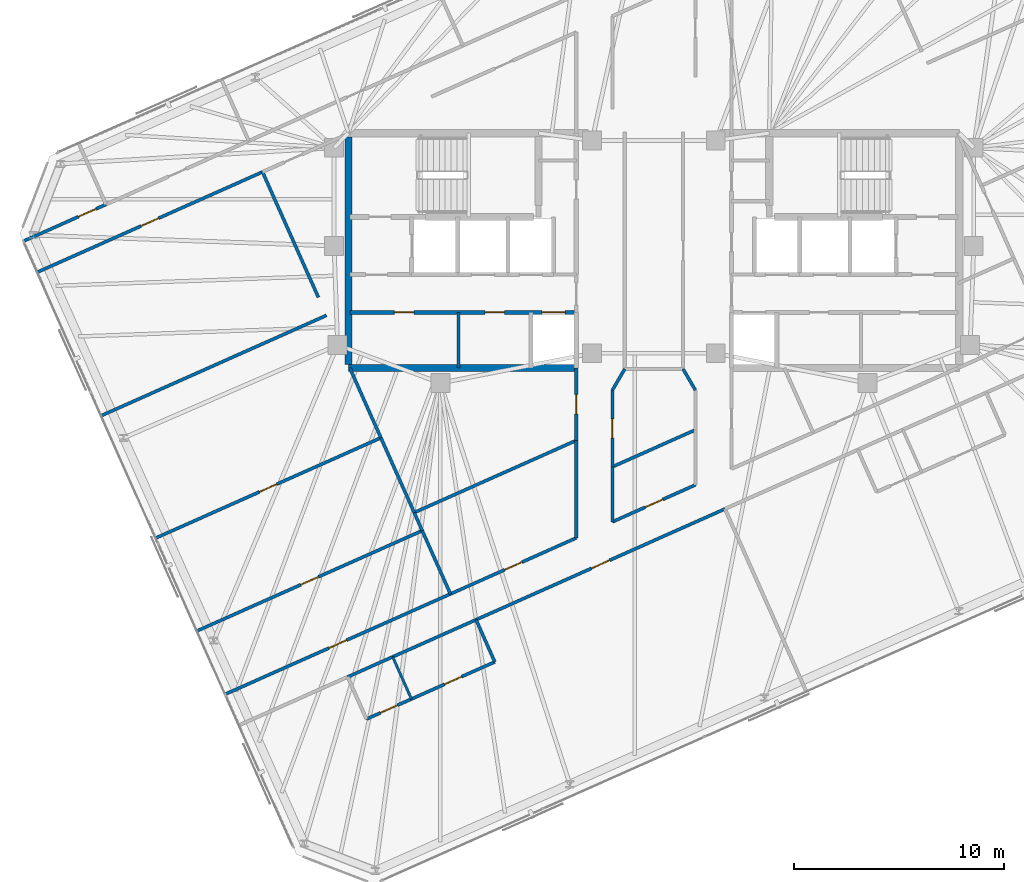
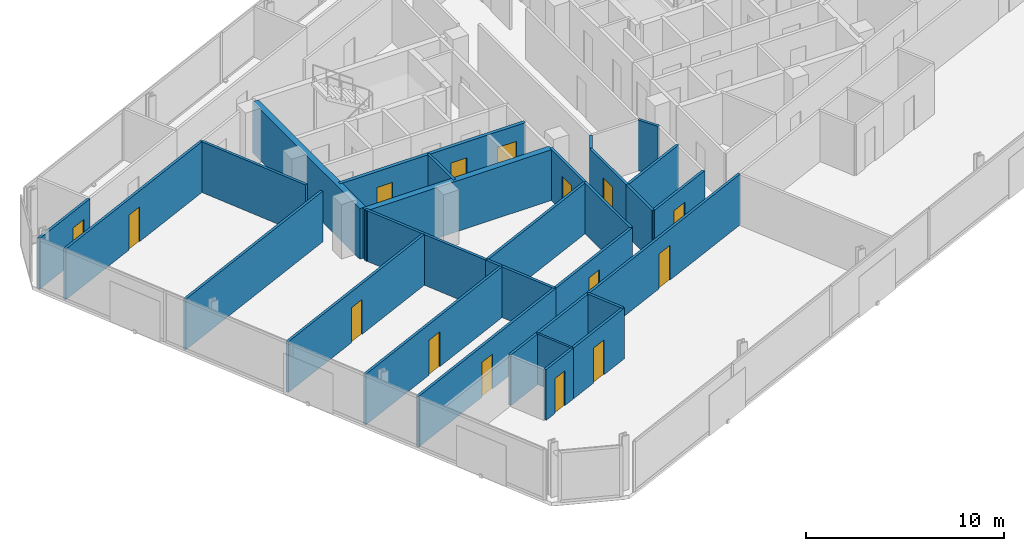
# One storey, part 13 of 18: 32 walls, 15 doors, 15 openings.
"""IFC4 building model written with IfcOpenShell, lengths in metres."""

import ifcopenshell
import ifcopenshell.guid

model = None  # the IFC model being written
_history = None  # IfcOwnerHistory: only IFC2X3 demands one
_inside = {}  # id of a spatial element -> (the spatial element, [elements in it])
_under = {}  # id of a project, library or spatial element -> (it, [spatial elements below it])
_declared = {}  # id of a project -> (the project, [libraries it declares])
_typed = {}  # id of a type object -> (the type object, [elements of that type])
_made_of = {}  # id of a material, layer set ... -> (it, [elements and type objects made of it])


def new_model(schema):
    """Start an empty IFC model of exactly this schema.

    Asked for "IFC4X3", IfcOpenShell would pick the latest addendum, in which some entities
    have other attributes; the version numbers below select the first issue.
    IFC2X3 requires an IfcOwnerHistory on every rooted entity: one is made here for all.
    """
    global model, _history
    if schema == "IFC4X3":
        model = ifcopenshell.file(schema_version=(4, 3, 0, 0))
    else:
        model = ifcopenshell.file(schema=schema)
    _inside.clear()
    _under.clear()
    _declared.clear()
    _typed.clear()
    _made_of.clear()
    _history = None
    if model.schema == "IFC2X3":
        org = make("IfcOrganization", Name="unknown")
        user = make(
            "IfcPersonAndOrganization",
            ThePerson=make("IfcPerson", FamilyName="unknown"),
            TheOrganization=org,
        )
        app = make(
            "IfcApplication",
            ApplicationDeveloper=org,
            Version="unknown",
            ApplicationFullName="unknown",
            ApplicationIdentifier="unknown",
        )
        _history = make(
            "IfcOwnerHistory",
            OwningUser=user,
            OwningApplication=app,
            ChangeAction="ADDED",
            CreationDate=0,
        )
    return model


def make(cls, **values):
    """One entity of the class cls with the attributes given. An attribute that is None is left unset."""
    return model.create_entity(
        cls, **{name: value for name, value in values.items() if value is not None}
    )


def rooted(cls, **values):
    """An entity with a GlobalId (a new one), such as an element, a storey or a relation."""
    return make(cls, GlobalId=ifcopenshell.guid.new(), OwnerHistory=_history, **values)


def si_unit(unit_type, name, prefix=None):
    """IfcSIUnit, for example si_unit("LENGTHUNIT", "METRE", prefix="MILLI")."""
    return make("IfcSIUnit", UnitType=unit_type, Prefix=prefix, Name=name)


def assignment(units):
    """IfcUnitAssignment: the units of a project."""
    return None if units is None else make("IfcUnitAssignment", Units=units)


def point(xyz):
    """IfcCartesianPoint."""
    return None if xyz is None else make("IfcCartesianPoint", Coordinates=xyz)


def direction(xyz):
    """IfcDirection."""
    return None if xyz is None else make("IfcDirection", DirectionRatios=xyz)


def frame(location, z_axis=None, x_axis=None):
    """IfcAxis2Placement3D, a coordinate frame: its origin and axes. An axis left out is left unset."""
    return make(
        "IfcAxis2Placement3D",
        Location=point(location),
        Axis=direction(z_axis),
        RefDirection=direction(x_axis),
    )


def frame_2d(location, x_axis=None):
    """IfcAxis2Placement2D, a coordinate frame in the plane: its origin and x axis."""
    return make(
        "IfcAxis2Placement2D", Location=point(location), RefDirection=direction(x_axis)
    )


def origin():
    """The frame at (0, 0, 0) with its axes left unset."""
    return frame((0.0, 0.0, 0.0))


def place(relative_to, where):
    """IfcLocalPlacement: puts the frame where relative to a parent placement (None: the world)."""
    return make(
        "IfcLocalPlacement", PlacementRelTo=relative_to, RelativePlacement=where
    )


def context(
    kind, dimensions, precision=None, world=None, true_north=None, identifier=None
):
    """IfcGeometricRepresentationContext, for example the 3D "Model" context."""
    return make(
        "IfcGeometricRepresentationContext",
        ContextIdentifier=identifier,
        ContextType=kind,
        CoordinateSpaceDimension=dimensions,
        Precision=precision,
        WorldCoordinateSystem=world,
        TrueNorth=true_north,
    )


def subcontext(parent, identifier, kind, view, scale=None):
    """IfcGeometricRepresentationSubContext, for example "Body" below "Model"."""
    return make(
        "IfcGeometricRepresentationSubContext",
        ContextIdentifier=identifier,
        ContextType=kind,
        ParentContext=parent,
        TargetScale=scale,
        TargetView=view,
    )


def project(units=None, contexts=None):
    """IfcProject with its units and contexts."""
    return rooted(
        "IfcProject",
        Name="project",
        RepresentationContexts=contexts,
        UnitsInContext=assignment(units),
    )


def spatial(cls, under=None, at=None, **own):
    """A site, building, storey or space (cls), placed at a placement, below another one or the project."""
    s = rooted(cls, ObjectPlacement=at, **own)
    if under is not None:
        _under.setdefault(under.id(), (under, []))[1].append(s)
    return s


def profile(cls, at=None, kind="AREA", **sizes):
    """A parametric profile (cls). Its sizes go by their IFC names, for example OverallWidth=200.0."""
    return make(cls, ProfileType=kind, Position=at, **sizes)


def rectangle(**sizes):
    """IfcRectangleProfileDef."""
    return profile("IfcRectangleProfileDef", **sizes)


def extrude(swept, where, along, depth):
    """IfcExtrudedAreaSolid: the profile swept, set in the frame where, extruded along a direction by depth."""
    return make(
        "IfcExtrudedAreaSolid",
        SweptArea=swept,
        Position=where,
        ExtrudedDirection=direction(along),
        Depth=depth,
    )


def shape(context_of_items, identifier, shape_type, items):
    """IfcShapeRepresentation: the items that make up one representation, for example the "Body"."""
    return make(
        "IfcShapeRepresentation",
        ContextOfItems=context_of_items,
        RepresentationIdentifier=identifier,
        RepresentationType=shape_type,
        Items=items,
    )


def material(Name=None, Category=None):
    """IfcMaterial."""
    return make("IfcMaterial", Name=Name, Category=Category)


def layer(
    of_material, thickness, ventilated=None, Name=None, Category=None, Priority=None
):
    """IfcMaterialLayer: one layer of a wall or slab, of a material (None: an air gap)."""
    return make(
        "IfcMaterialLayer",
        Material=of_material,
        LayerThickness=thickness,
        IsVentilated=ventilated,
        Name=Name,
        Category=Category,
        Priority=Priority,
    )


def layer_set(layers, Name=None):
    """IfcMaterialLayerSet."""
    return make("IfcMaterialLayerSet", MaterialLayers=layers, LayerSetName=Name)


def made_of(thing, what):
    """Note that an element or type object is made of a material, layer set ...; save() writes the relation."""
    if what is not None:
        _made_of.setdefault(what.id(), (what, []))[1].append(thing)
    return thing


def type_object(cls, material=None, **own):
    """A type object (cls), such as IfcWallType, which elements share."""
    return made_of(rooted(cls, **own), material)


def element(
    cls,
    number,
    at=None,
    inside=None,
    cuts=None,
    type_object=None,
    material=None,
    context=None,
    identifier="Body",
    shape_type=None,
    held_by="IfcProductDefinitionShape",
    body=None,
    shapes=None,
    **own,
):
    """One element of the class cls, such as IfcWall. Its Tag is "e" and its number.

    at: its placement. inside: the storey or other place that contains it. cuts: it is an
    opening in that element (IfcRelVoidsElement). A single representation is given by context,
    identifier, shape_type and body (its items); several are given by shapes. held_by: the class
    of the entity that holds the representations. save() writes the other relations.
    """
    e = rooted(cls, Tag="e%d" % number, ObjectPlacement=at, **own)
    if body is not None:
        shapes = [shape(context, identifier, shape_type, body)]
    if shapes is not None:
        e.Representation = make(held_by, Representations=shapes)
    if inside is not None:
        _inside.setdefault(inside.id(), (inside, []))[1].append(e)
    if cuts is not None:
        rooted(
            "IfcRelVoidsElement", RelatingBuildingElement=cuts, RelatedOpeningElement=e
        )
    if type_object is not None:
        _typed.setdefault(type_object.id(), (type_object, []))[1].append(e)
    return made_of(e, material)


def fill(opening, filler):
    """IfcRelFillsElement: the door or window that sits in an opening."""
    return rooted(
        "IfcRelFillsElement",
        RelatingOpeningElement=opening,
        RelatedBuildingElement=filler,
    )


def aggregate(whole, parts):
    """IfcRelAggregates: a whole, such as a stair, and the parts it consists of."""
    return rooted("IfcRelAggregates", RelatingObject=whole, RelatedObjects=parts)


def save(model, path):
    """Write the relations noted so far, then the file.

    IfcRelAggregates (storeys below a building ...), IfcRelContainedInSpatialStructure (elements
    in a storey), IfcRelDefinesByType, IfcRelAssociatesMaterial and IfcRelDeclares: one each for
    every whole, place, type object, material and project.
    """
    for whole, parts in _under.values():
        aggregate(whole, parts)
    for where, things in _inside.values():
        rooted(
            "IfcRelContainedInSpatialStructure",
            RelatedElements=things,
            RelatingStructure=where,
        )
    for kind, things in _typed.values():
        rooted("IfcRelDefinesByType", RelatedObjects=things, RelatingType=kind)
    for what, things in _made_of.values():
        rooted("IfcRelAssociatesMaterial", RelatedObjects=things, RelatingMaterial=what)
    for by, libraries in _declared.values():
        rooted("IfcRelDeclares", RelatingContext=by, RelatedDefinitions=libraries)
    model.write(path)


model = new_model("IFC4")

# Units and contexts
model_context = context("Model", 3, precision=1e-05, world=origin(), true_north=direction((0.0, 1.0)))
body_context = subcontext(model_context, "Body", "Model", "MODEL_VIEW")
ifc_project = project(units=[si_unit("LENGTHUNIT", "METRE"), si_unit("AREAUNIT", "SQUARE_METRE"), si_unit("VOLUMEUNIT", "CUBIC_METRE"), si_unit("PLANEANGLEUNIT", "RADIAN"), si_unit("MASSUNIT", "GRAM", prefix="KILO")], contexts=[model_context])

# Site, building, storey
site_placement = place(None, origin())
site = spatial("IfcSite", under=ifc_project, at=site_placement, CompositionType="ELEMENT")
building_placement = place(site_placement, origin())
building = spatial("IfcBuilding", under=site, at=building_placement, Name="Menara Jurai Vektor", CompositionType="ELEMENT")
storey_placement = place(building_placement, frame((0.0, 0.0, 258.85009765625)))
storey = spatial("IfcBuildingStorey", under=building, at=storey_placement, Name="L69", CompositionType="ELEMENT", Elevation=258.85009765625)

# Wall
ifc_material_1 = material(Name="Gypsum Fireboard Partition", Category="gypsum")
ifc_layer_1 = layer(ifc_material_1, 0.14990234375)
ifc_layer_set_1 = layer_set([ifc_layer_1], Name="Gypsum Fireboard Partition")
wall_type_1 = type_object("IfcWallType", Name="INT-WALL-CORR-150", PredefinedType="PARTITIONING", material=ifc_layer_set_1)
wall_1_placement = place(storey_placement, frame((-9.320068359375, -5.60009765625, 0.0), z_axis=(0.0, 0.0, 1.0), x_axis=(0.0, 1.0, 0.0)))
element("IfcWall", 1, at=wall_1_placement, inside=storey, type_object=wall_type_1, Name="Interior Wall IW-150 L69", PredefinedType="PARTITIONING", context=body_context, shape_type="SweptSolid", body=[
    extrude(rectangle(XDim=2.650146484375, YDim=0.14990234375, at=frame_2d((1.3251953125, 0.0))), origin(), (0.0, 0.0, 1.0), 3.125),
])

# Wall, opening, door
wall_2_placement = place(storey_placement, frame((-8.481201171875, -17.605224609375, 0.0), z_axis=(0.0, 0.0, 1.0), x_axis=(0.913546352883, 0.406734632328, 0.0)))
wall_2 = element("IfcWall", 2, at=wall_2_placement, inside=storey, type_object=wall_type_1, Name="Interior Wall IW-150 L69", PredefinedType="PARTITIONING", context=body_context, shape_type="SweptSolid", body=[
    extrude(rectangle(XDim=12.992919921875, YDim=0.14990234375, at=frame_2d((6.49658203125, 0.0))), origin(), (0.0, 0.0, 1.0), 3.125),
])
opening_1_placement = place(wall_2_placement, frame((6.021484375, 0.0, 0.0)))
opening_1 = element("IfcOpeningElement", 3, at=opening_1_placement, cuts=wall_2, Name="Opening D69-12", PredefinedType="OPENING", context=body_context, shape_type="SweptSolid", body=[
    extrude(rectangle(XDim=0.949951171875, YDim=2.14990234375, at=frame_2d((0.47509765625, 1.074951171875))), frame((0.0, 0.0849609375, 0.0), z_axis=(0.0, -1.0, 0.0), x_axis=(1.0, 0.0, 0.0)), (0.0, 0.0, 1.0), 0.169921875),
])
ifc_material_2 = material(Name="Solid Core Timber Fire Door", Category="wood")
door_type_1 = type_object("IfcDoorType", Name="DR-ENTRY-950", OperationType="NOTDEFINED", PredefinedType="DOOR", material=ifc_material_2)
door_1_placement = place(opening_1_placement, origin())
door_1 = element("IfcDoor", 4, at=door_1_placement, inside=storey, type_object=door_type_1, Name="Interior Door D69-12", OperationType="SINGLE_SWING_LEFT", OverallHeight=2.14990234375, OverallWidth=0.949951171875, PredefinedType="DOOR", context=body_context, shape_type="SweptSolid", body=[
    extrude(rectangle(XDim=0.949951171875, YDim=2.14990234375, at=frame_2d((0.47509765625, 1.074951171875))), frame((0.0, 0.02490234375, 0.0), z_axis=(0.0, -1.0, 0.0), x_axis=(1.0, 0.0, 0.0)), (0.0, 0.0, 1.0), 0.050048828125),
])
fill(opening_1, door_1)

# Walls
wall_3_placement = place(storey_placement, frame((-14.601806640625, -20.33056640625, 0.0), z_axis=(0.0, 0.0, 1.0), x_axis=(0.913502828817, 0.406832375486, 0.0)))
element("IfcWall", 5, at=wall_3_placement, inside=storey, type_object=wall_type_1, Name="Interior Wall IW-150 L69", PredefinedType="PARTITIONING", context=body_context, shape_type="SweptSolid", body=[
    extrude(rectangle(XDim=2.35009765625, YDim=0.14990234375, at=frame_2d((1.175048828125, 0.0))), origin(), (0.0, 0.0, 1.0), 3.125),
])
wall_4_placement = place(storey_placement, frame((-12.455078125, -19.37451171875, 0.0), z_axis=(0.0, 0.0, 1.0), x_axis=(0.913545193015, 0.406737237438, 0.0)))
element("IfcWall", 6, at=wall_4_placement, inside=storey, type_object=wall_type_1, Name="Interior Wall IW-150 L69", PredefinedType="PARTITIONING", context=body_context, shape_type="SweptSolid", body=[
    extrude(rectangle(XDim=4.349853515625, YDim=0.14990234375, at=frame_2d((2.1748046875, 0.0))), origin(), (0.0, 0.0, 1.0), 3.125),
])

# Wall, opening, door
wall_5_placement = place(storey_placement, frame((-20.4453125, -21.15869140625, 0.0), z_axis=(0.0, 0.0, 1.0), x_axis=(0.913547681516, 0.406731648137, 0.0)))
wall_5 = element("IfcWall", 7, at=wall_5_placement, inside=storey, type_object=wall_type_1, Name="Interior Wall IW-150 L69", PredefinedType="PARTITIONING", context=body_context, shape_type="SweptSolid", body=[
    extrude(rectangle(XDim=11.760009765625, YDim=0.14990234375, at=frame_2d((5.8798828125, 0.0))), origin(), (0.0, 0.0, 1.0), 3.125),
])
opening_2_placement = place(wall_5_placement, frame((5.419921875, 0.0, 0.0)))
opening_2 = element("IfcOpeningElement", 8, at=opening_2_placement, cuts=wall_5, Name="Opening D69-18", PredefinedType="OPENING", context=body_context, shape_type="SweptSolid", body=[
    extrude(rectangle(XDim=0.919921875, YDim=2.14990234375, at=frame_2d((0.4599609375, 1.074951171875))), frame((0.0, 0.0849609375, 0.0), z_axis=(0.0, -1.0, 0.0), x_axis=(1.0, 0.0, 0.0)), (0.0, 0.0, 1.0), 0.169921875),
])
door_2_placement = place(opening_2_placement, origin())
door_2 = element("IfcDoor", 9, at=door_2_placement, inside=storey, type_object=door_type_1, Name="Interior Door D69-18", OperationType="SINGLE_SWING_LEFT", OverallHeight=2.14990234375, OverallWidth=0.919921875, PredefinedType="DOOR", context=body_context, shape_type="SweptSolid", body=[
    extrude(rectangle(XDim=0.919921875, YDim=2.14990234375, at=frame_2d((0.4599609375, 1.074951171875))), frame((0.0, 0.02490234375, 0.0), z_axis=(0.0, -1.0, 0.0), x_axis=(1.0, 0.0, 0.0)), (0.0, 0.0, 1.0), 0.050048828125),
])
fill(opening_2, door_2)

wall_6_placement = place(storey_placement, frame((-29.404296875, -1.0361328125, 0.0), z_axis=(0.0, 0.0, 1.0), x_axis=(0.913544247064, 0.406739362069, 0.0)))
wall_6 = element("IfcWall", 10, at=wall_6_placement, inside=storey, type_object=wall_type_1, Name="Interior Wall IW-150 L69", PredefinedType="PARTITIONING", context=body_context, shape_type="SweptSolid", body=[
    extrude(rectangle(XDim=11.759765625, YDim=0.14990234375, at=frame_2d((5.8798828125, 0.0))), origin(), (0.0, 0.0, 1.0), 3.125),
])
opening_3_placement = place(wall_6_placement, frame((5.419921875, 0.0, 0.0)))
opening_3 = element("IfcOpeningElement", 11, at=opening_3_placement, cuts=wall_6, Name="Opening D69-21", PredefinedType="OPENING", context=body_context, shape_type="SweptSolid", body=[
    extrude(rectangle(XDim=0.919921875, YDim=2.14990234375, at=frame_2d((0.4599609375, 1.074951171875))), frame((0.0, 0.0849609375, 0.0), z_axis=(0.0, -1.0, 0.0), x_axis=(1.0, 0.0, 0.0)), (0.0, 0.0, 1.0), 0.169921875),
])
door_3_placement = place(opening_3_placement, origin())
door_3 = element("IfcDoor", 12, at=door_3_placement, inside=storey, type_object=door_type_1, Name="Interior Door D69-21", OperationType="SINGLE_SWING_RIGHT", OverallHeight=2.14990234375, OverallWidth=0.919921875, PredefinedType="DOOR", context=body_context, shape_type="SweptSolid", body=[
    extrude(rectangle(XDim=0.919921875, YDim=2.14990234375, at=frame_2d((0.4599609375, 1.074951171875))), frame((0.0, 0.02490234375, 0.0), z_axis=(0.0, -1.0, 0.0), x_axis=(1.0, 0.0, 0.0)), (0.0, 0.0, 1.0), 0.050048828125),
])
fill(opening_3, door_3)

wall_7_placement = place(storey_placement, frame((-30.063232421875, 0.44384765625, 0.0), z_axis=(0.0, 0.0, 1.0), x_axis=(0.91352868173, 0.406774320302, 0.0)))
wall_7 = element("IfcWall", 13, at=wall_7_placement, inside=storey, type_object=wall_type_1, Name="Interior Wall IW-150 L69", PredefinedType="PARTITIONING", context=body_context, shape_type="SweptSolid", body=[
    extrude(rectangle(XDim=4.31005859375, YDim=0.14990234375, at=frame_2d((2.155029296875, 0.0))), origin(), (0.0, 0.0, 1.0), 3.125),
])
opening_4_placement = place(wall_7_placement, frame((2.866455078125, 0.0, 0.0)))
opening_4 = element("IfcOpeningElement", 14, at=opening_4_placement, cuts=wall_7, Name="Opening D69-22", PredefinedType="OPENING", context=body_context, shape_type="SweptSolid", body=[
    extrude(rectangle(XDim=0.919921875, YDim=2.14990234375, at=frame_2d((0.4599609375, 1.074951171875))), frame((0.0, 0.0849609375, 0.0), z_axis=(0.0, -1.0, 0.0), x_axis=(1.0, 0.0, 0.0)), (0.0, 0.0, 1.0), 0.169921875),
])
door_4_placement = place(opening_4_placement, origin())
door_4 = element("IfcDoor", 15, at=door_4_placement, inside=storey, type_object=door_type_1, Name="Interior Door D69-22", OperationType="SINGLE_SWING_LEFT", OverallHeight=2.14990234375, OverallWidth=0.919921875, PredefinedType="DOOR", context=body_context, shape_type="SweptSolid", body=[
    extrude(rectangle(XDim=0.919921875, YDim=2.14990234375, at=frame_2d((0.4599609375, 1.074951171875))), frame((0.0, 0.02490234375, 0.0), z_axis=(0.0, -1.0, 0.0), x_axis=(1.0, 0.0, 0.0)), (0.0, 0.0, 1.0), 0.050048828125),
])
fill(opening_4, door_4)

# Wall
wall_8_placement = place(storey_placement, frame((-1.979736328125, -12.9375, 0.0), z_axis=(0.0, 0.0, 1.0), x_axis=(-9.3049223e-05, 0.999999995671, 0.0)))
element("IfcWall", 16, at=wall_8_placement, inside=storey, type_object=wall_type_1, Name="Interior Wall IW-150 L69", PredefinedType="PARTITIONING", context=body_context, shape_type="SweptSolid", body=[
    extrude(rectangle(XDim=2.623779296875, YDim=0.14990234375, at=frame_2d((1.31201171875, 0.0))), origin(), (0.0, 0.0, 1.0), 3.125),
])

# Wall, opening, door
wall_9_placement = place(storey_placement, frame((-1.979736328125, -12.9375, 0.0), z_axis=(0.0, 0.0, 1.0), x_axis=(0.913530252303, 0.406770793111, 0.0)))
wall_9 = element("IfcWall", 17, at=wall_9_placement, inside=storey, type_object=wall_type_1, Name="Interior Wall IW-150 L69", PredefinedType="PARTITIONING", context=body_context, shape_type="SweptSolid", body=[
    extrude(rectangle(XDim=4.333984375, YDim=0.14990234375, at=frame_2d((2.1669921875, 0.0))), origin(), (0.0, 0.0, 1.0), 3.125),
])
opening_5_placement = place(wall_9_placement, frame((1.70703125, 0.0, 0.0)))
opening_5 = element("IfcOpeningElement", 18, at=opening_5_placement, cuts=wall_9, Name="Opening D69-26", PredefinedType="OPENING", context=body_context, shape_type="SweptSolid", body=[
    extrude(rectangle(XDim=0.919921875, YDim=2.14990234375, at=frame_2d((0.4599609375, 1.074951171875))), frame((0.0, 0.0849609375, 0.0), z_axis=(0.0, -1.0, 0.0), x_axis=(1.0, 0.0, 0.0)), (0.0, 0.0, 1.0), 0.169921875),
])
door_5_placement = place(opening_5_placement, origin())
door_5 = element("IfcDoor", 19, at=door_5_placement, inside=storey, type_object=door_type_1, Name="Interior Door D69-26", OperationType="SINGLE_SWING_LEFT", OverallHeight=2.14990234375, OverallWidth=0.919921875, PredefinedType="DOOR", context=body_context, shape_type="SweptSolid", body=[
    extrude(rectangle(XDim=0.919921875, YDim=2.14990234375, at=frame_2d((0.4599609375, 1.074951171875))), frame((0.0, 0.02490234375, 0.0), z_axis=(0.0, -1.0, 0.0), x_axis=(1.0, 0.0, 0.0)), (0.0, 0.0, 1.0), 0.050048828125),
])
fill(opening_5, door_5)

wall_10_placement = place(storey_placement, frame((-1.97998046875, -10.313720703125, 0.0), z_axis=(0.0, 0.0, 1.0), x_axis=(0.0, 1.0, 0.0)))
wall_10 = element("IfcWall", 20, at=wall_10_placement, inside=storey, type_object=wall_type_1, Name="Interior Wall IW-150 L69", PredefinedType="PARTITIONING", context=body_context, shape_type="SweptSolid", body=[
    extrude(rectangle(XDim=3.656005859375, YDim=0.14990234375, at=frame_2d((1.828125, 0.0))), origin(), (0.0, 0.0, 1.0), 3.125),
])
opening_6_placement = place(wall_10_placement, frame((1.367919921875, 0.0, 0.0)))
opening_6 = element("IfcOpeningElement", 21, at=opening_6_placement, cuts=wall_10, Name="Opening D69-27", PredefinedType="OPENING", context=body_context, shape_type="SweptSolid", body=[
    extrude(rectangle(XDim=0.919921875, YDim=2.14990234375, at=frame_2d((0.4599609375, 1.074951171875))), frame((0.0, 0.0849609375, 0.0), z_axis=(0.0, -1.0, 0.0), x_axis=(1.0, 0.0, 0.0)), (0.0, 0.0, 1.0), 0.169921875),
])
door_6_placement = place(opening_6_placement, origin())
door_6 = element("IfcDoor", 22, at=door_6_placement, inside=storey, type_object=door_type_1, Name="Interior Door D69-27", OperationType="SINGLE_SWING_RIGHT", OverallHeight=2.14990234375, OverallWidth=0.919921875, PredefinedType="DOOR", context=body_context, shape_type="SweptSolid", body=[
    extrude(rectangle(XDim=0.919921875, YDim=2.14990234375, at=frame_2d((0.4599609375, 1.074951171875))), frame((0.0, 0.02490234375, 0.0), z_axis=(0.0, -1.0, 0.0), x_axis=(1.0, 0.0, 0.0)), (0.0, 0.0, 1.0), 0.050048828125),
])
fill(opening_6, door_6)

# Walls
wall_11_placement = place(storey_placement, frame((-1.97998046875, -6.65771484375, 0.0), z_axis=(0.0, 0.0, 1.0), x_axis=(0.504651025514, 0.863323428645, 0.0)))
element("IfcWall", 23, at=wall_11_placement, inside=storey, type_object=wall_type_1, Name="Interior Wall IW-150 L69", PredefinedType="PARTITIONING", context=body_context, shape_type="SweptSolid", body=[
    extrude(rectangle(XDim=1.16748046875, YDim=0.14990234375, at=frame_2d((0.583740234375, 0.0))), origin(), (0.0, 0.0, 1.0), 3.125),
])
wall_12_placement = place(storey_placement, frame((1.390869140625, -5.650390625, 0.0), z_axis=(0.0, 0.0, 1.0), x_axis=(0.504339173621, -0.863505644424, 0.0)))
element("IfcWall", 24, at=wall_12_placement, inside=storey, type_object=wall_type_1, Name="Interior Wall IW-150 L69", PredefinedType="PARTITIONING", context=body_context, shape_type="SweptSolid", body=[
    extrude(rectangle(XDim=1.167236328125, YDim=0.14990234375, at=frame_2d((0.58349609375, 0.0))), origin(), (0.0, 0.0, 1.0), 3.125),
])

# Wall, opening, door
wall_13_placement = place(storey_placement, frame((-9.701904296875, -16.37548828125, 0.0), z_axis=(0.0, 0.0, 1.0), x_axis=(0.913552389019, 0.406721074594, 0.0)))
wall_13 = element("IfcWall", 25, at=wall_13_placement, inside=storey, type_object=wall_type_1, Name="Interior Wall IW-150 L69", PredefinedType="PARTITIONING", context=body_context, shape_type="SweptSolid", body=[
    extrude(rectangle(XDim=6.56982421875, YDim=0.14990234375, at=frame_2d((3.284912109375, 0.0))), origin(), (0.0, 0.0, 1.0), 3.125),
])
opening_7_placement = place(wall_13_placement, frame((2.824951171875, 0.0, 0.0)))
opening_7 = element("IfcOpeningElement", 26, at=opening_7_placement, cuts=wall_13, Name="Opening D69-30", PredefinedType="OPENING", context=body_context, shape_type="SweptSolid", body=[
    extrude(rectangle(XDim=0.919921875, YDim=2.14990234375, at=frame_2d((0.4599609375, 1.074951171875))), frame((0.0, 0.0849609375, 0.0), z_axis=(0.0, -1.0, 0.0), x_axis=(1.0, 0.0, 0.0)), (0.0, 0.0, 1.0), 0.169921875),
])
door_7_placement = place(opening_7_placement, origin())
door_7 = element("IfcDoor", 27, at=door_7_placement, inside=storey, type_object=door_type_1, Name="Interior Door D69-30", OperationType="SINGLE_SWING_LEFT", OverallHeight=2.14990234375, OverallWidth=0.919921875, PredefinedType="DOOR", context=body_context, shape_type="SweptSolid", body=[
    extrude(rectangle(XDim=0.919921875, YDim=2.14990234375, at=frame_2d((0.4599609375, 1.074951171875))), frame((0.0, 0.02490234375, 0.0), z_axis=(0.0, -1.0, 0.0), x_axis=(1.0, 0.0, 0.0)), (0.0, 0.0, 1.0), 0.050048828125),
])
fill(opening_7, door_7)

# Wall
wall_14_placement = place(storey_placement, frame((-3.699951171875, -13.703369140625, 0.0), z_axis=(0.0, 0.0, 1.0), x_axis=(5.2512734e-05, 0.999999998621, 0.0)))
element("IfcWall", 28, at=wall_14_placement, inside=storey, type_object=wall_type_1, Name="Interior Wall IW-150 L69", PredefinedType="PARTITIONING", context=body_context, shape_type="SweptSolid", body=[
    extrude(rectangle(XDim=4.649169921875, YDim=0.14990234375, at=frame_2d((2.32470703125, 0.0))), origin(), (0.0, 0.0, 1.0), 3.125),
])

# Wall, opening, door
wall_15_placement = place(storey_placement, frame((-3.69970703125, -9.05419921875, 0.0), z_axis=(0.0, 0.0, 1.0), x_axis=(-7.0671378e-05, 0.999999997503, 0.0)))
wall_15 = element("IfcWall", 29, at=wall_15_placement, inside=storey, type_object=wall_type_1, Name="Interior Wall IW-150 L69", PredefinedType="PARTITIONING", context=body_context, shape_type="SweptSolid", body=[
    extrude(rectangle(XDim=3.45458984375, YDim=0.14990234375, at=frame_2d((1.727294921875, 0.0))), origin(), (0.0, 0.0, 1.0), 3.125),
])
opening_8_placement = place(wall_15_placement, frame((1.267333984375, 0.0, 0.0)))
opening_8 = element("IfcOpeningElement", 30, at=opening_8_placement, cuts=wall_15, Name="Opening D69-31", PredefinedType="OPENING", context=body_context, shape_type="SweptSolid", body=[
    extrude(rectangle(XDim=0.919921875, YDim=2.14990234375, at=frame_2d((0.4599609375, 1.074951171875))), frame((0.0, 0.0849609375, 0.0), z_axis=(0.0, -1.0, 0.0), x_axis=(1.0, 0.0, 0.0)), (0.0, 0.0, 1.0), 0.169921875),
])
door_8_placement = place(opening_8_placement, origin())
door_8 = element("IfcDoor", 31, at=door_8_placement, inside=storey, type_object=door_type_1, Name="Interior Door D69-31", OperationType="SINGLE_SWING_RIGHT", OverallHeight=2.14990234375, OverallWidth=0.919921875, PredefinedType="DOOR", context=body_context, shape_type="SweptSolid", body=[
    extrude(rectangle(XDim=0.919921875, YDim=2.14990234375, at=frame_2d((0.4599609375, 1.074951171875))), frame((0.0, 0.02490234375, 0.0), z_axis=(0.0, -1.0, 0.0), x_axis=(1.0, 0.0, 0.0)), (0.0, 0.0, 1.0), 0.050048828125),
])
fill(opening_8, door_8)

wall_16_placement = place(storey_placement, frame((-13.70703125, -22.34033203125, 0.0), z_axis=(0.0, 0.0, 1.0), x_axis=(0.913541436194, 0.406745675276, 0.0)))
wall_16 = element("IfcWall", 32, at=wall_16_placement, inside=storey, type_object=wall_type_1, Name="Interior Wall IW-150 L69", PredefinedType="PARTITIONING", context=body_context, shape_type="SweptSolid", body=[
    extrude(rectangle(XDim=2.349853515625, YDim=0.14990234375, at=frame_2d((1.1748046875, 0.0))), origin(), (0.0, 0.0, 1.0), 3.125),
])
opening_9_placement = place(wall_16_placement, frame((0.735107421875, 0.0, 0.0)))
opening_9 = element("IfcOpeningElement", 33, at=opening_9_placement, cuts=wall_16, Name="Opening D69-13", PredefinedType="OPENING", context=body_context, shape_type="SweptSolid", body=[
    extrude(rectangle(XDim=0.8798828125, YDim=2.14990234375, at=frame_2d((0.43994140625, 1.074951171875))), frame((0.0, 0.0849609375, 0.0), z_axis=(0.0, -1.0, 0.0), x_axis=(1.0, 0.0, 0.0)), (0.0, 0.0, 1.0), 0.169921875),
])
ifc_material_3 = material(Name="Moisture-Resistant Timber Door", Category="wood")
door_type_2 = type_object("IfcDoorType", Name="DR-BATH-880", OperationType="NOTDEFINED", PredefinedType="DOOR", material=ifc_material_3)
door_9_placement = place(opening_9_placement, origin())
door_9 = element("IfcDoor", 34, at=door_9_placement, inside=storey, type_object=door_type_2, Name="Interior Door D69-13", OperationType="SINGLE_SWING_RIGHT", OverallHeight=2.14990234375, OverallWidth=0.8798828125, PredefinedType="DOOR", context=body_context, shape_type="SweptSolid", body=[
    extrude(rectangle(XDim=0.8798828125, YDim=2.14990234375, at=frame_2d((0.43994140625, 1.074951171875))), frame((0.0, 0.02490234375, 0.0), z_axis=(0.0, -1.0, 0.0), x_axis=(1.0, 0.0, 0.0)), (0.0, 0.0, 1.0), 0.050048828125),
])
fill(opening_9, door_9)

wall_17_placement = place(storey_placement, frame((-11.560302734375, -21.384521484375, 0.0), z_axis=(0.0, 0.0, 1.0), x_axis=(0.913533624044, 0.406763220732, 0.0)))
wall_17 = element("IfcWall", 35, at=wall_17_placement, inside=storey, type_object=wall_type_1, Name="Interior Wall IW-150 L69", PredefinedType="PARTITIONING", context=body_context, shape_type="SweptSolid", body=[
    extrude(rectangle(XDim=4.350341796875, YDim=0.14990234375, at=frame_2d((2.17529296875, 0.0))), origin(), (0.0, 0.0, 1.0), 3.125),
])
opening_10_placement = place(wall_17_placement, frame((1.72509765625, 0.0, 0.0)))
opening_10 = element("IfcOpeningElement", 36, at=opening_10_placement, cuts=wall_17, Name="Opening D69-14", PredefinedType="OPENING", context=body_context, shape_type="SweptSolid", body=[
    extrude(rectangle(XDim=0.89990234375, YDim=2.14990234375, at=frame_2d((0.449951171875, 1.074951171875))), frame((0.0, 0.0849609375, 0.0), z_axis=(0.0, -1.0, 0.0), x_axis=(1.0, 0.0, 0.0)), (0.0, 0.0, 1.0), 0.169921875),
])
ifc_material_4 = material(Name="Acoustic Timber Interior Door", Category="wood")
door_type_3 = type_object("IfcDoorType", Name="DR-ROOM-900", OperationType="NOTDEFINED", PredefinedType="DOOR", material=ifc_material_4)
door_10_placement = place(opening_10_placement, origin())
door_10 = element("IfcDoor", 37, at=door_10_placement, inside=storey, type_object=door_type_3, Name="Interior Door D69-14", OperationType="SINGLE_SWING_LEFT", OverallHeight=2.14990234375, OverallWidth=0.89990234375, PredefinedType="DOOR", context=body_context, shape_type="SweptSolid", body=[
    extrude(rectangle(XDim=0.89990234375, YDim=2.14990234375, at=frame_2d((0.449951171875, 1.074951171875))), frame((0.0, 0.02490234375, 0.0), z_axis=(0.0, -1.0, 0.0), x_axis=(1.0, 0.0, 0.0)), (0.0, 0.0, 1.0), 0.050048828125),
])
fill(opening_10, door_10)

# Wall
wall_18_placement = place(storey_placement, frame((-7.586181640625, -19.614990234375, 0.0), z_axis=(0.0, 0.0, 1.0), x_axis=(-0.406817905151, 0.913509273105, 0.0)))
element("IfcWall", 38, at=wall_18_placement, inside=storey, type_object=wall_type_1, Name="Interior Wall IW-150 L69", PredefinedType="PARTITIONING", context=body_context, shape_type="SweptSolid", body=[
    extrude(rectangle(XDim=2.199951171875, YDim=0.14990234375, at=frame_2d((1.10009765625, 0.0))), origin(), (0.0, 0.0, 1.0), 3.125),
])

# Wall, opening, door
wall_19_placement = place(storey_placement, frame((-21.7890625, -18.140380859375, 0.0), z_axis=(0.0, 0.0, 1.0), x_axis=(0.913544247064, 0.406739362069, 0.0)))
wall_19 = element("IfcWall", 39, at=wall_19_placement, inside=storey, type_object=wall_type_1, Name="Interior Wall IW-150 L69", PredefinedType="PARTITIONING", context=body_context, shape_type="SweptSolid", body=[
    extrude(rectangle(XDim=11.759765625, YDim=0.14990234375, at=frame_2d((5.8798828125, 0.0))), origin(), (0.0, 0.0, 1.0), 3.125),
])
opening_11_placement = place(wall_19_placement, frame((5.419921875, 0.0, 0.0)))
opening_11 = element("IfcOpeningElement", 40, at=opening_11_placement, cuts=wall_19, Name="Opening D69-19", PredefinedType="OPENING", context=body_context, shape_type="SweptSolid", body=[
    extrude(rectangle(XDim=0.919921875, YDim=2.14990234375, at=frame_2d((0.4599609375, 1.074951171875))), frame((0.0, 0.0849609375, 0.0), z_axis=(0.0, -1.0, 0.0), x_axis=(1.0, 0.0, 0.0)), (0.0, 0.0, 1.0), 0.169921875),
])
door_11_placement = place(opening_11_placement, origin())
door_11 = element("IfcDoor", 41, at=door_11_placement, inside=storey, type_object=door_type_1, Name="Interior Door D69-19", OperationType="SINGLE_SWING_RIGHT", OverallHeight=2.14990234375, OverallWidth=0.919921875, PredefinedType="DOOR", context=body_context, shape_type="SweptSolid", body=[
    extrude(rectangle(XDim=0.919921875, YDim=2.14990234375, at=frame_2d((0.4599609375, 1.074951171875))), frame((0.0, 0.02490234375, 0.0), z_axis=(0.0, -1.0, 0.0), x_axis=(1.0, 0.0, 0.0)), (0.0, 0.0, 1.0), 0.050048828125),
])
fill(opening_11, door_11)

# Wall
wall_20_placement = place(storey_placement, frame((-9.701904296875, -16.37548828125, 0.0), z_axis=(0.0, 0.0, 1.0), x_axis=(-0.406775972158, 0.913527946193, 0.0)))
element("IfcWall", 42, at=wall_20_placement, inside=storey, type_object=wall_type_1, Name="Interior Wall IW-150 L69", PredefinedType="PARTITIONING", context=body_context, shape_type="SweptSolid", body=[
    extrude(rectangle(XDim=3.303955078125, YDim=0.14990234375, at=frame_2d((1.65185546875, 0.0))), origin(), (0.0, 0.0, 1.0), 3.125),
])

# Wall, opening, door
wall_21_placement = place(storey_placement, frame((-23.760009765625, -13.71337890625, 0.0), z_axis=(0.0, 0.0, 1.0), x_axis=(0.913544247064, 0.406739362069, 0.0)))
wall_21 = element("IfcWall", 43, at=wall_21_placement, inside=storey, type_object=wall_type_1, Name="Interior Wall IW-150 L69", PredefinedType="PARTITIONING", context=body_context, shape_type="SweptSolid", body=[
    extrude(rectangle(XDim=11.759765625, YDim=0.14990234375, at=frame_2d((5.8798828125, 0.0))), origin(), (0.0, 0.0, 1.0), 3.125),
])
opening_12_placement = place(wall_21_placement, frame((5.419921875, 0.0, 0.0)))
opening_12 = element("IfcOpeningElement", 44, at=opening_12_placement, cuts=wall_21, Name="Opening D69-20", PredefinedType="OPENING", context=body_context, shape_type="SweptSolid", body=[
    extrude(rectangle(XDim=0.919921875, YDim=2.14990234375, at=frame_2d((0.4599609375, 1.074951171875))), frame((0.0, 0.0849609375, 0.0), z_axis=(0.0, -1.0, 0.0), x_axis=(1.0, 0.0, 0.0)), (0.0, 0.0, 1.0), 0.169921875),
])
door_12_placement = place(opening_12_placement, origin())
door_12 = element("IfcDoor", 45, at=door_12_placement, inside=storey, type_object=door_type_1, Name="Interior Door D69-20", OperationType="SINGLE_SWING_LEFT", OverallHeight=2.14990234375, OverallWidth=0.919921875, PredefinedType="DOOR", context=body_context, shape_type="SweptSolid", body=[
    extrude(rectangle(XDim=0.919921875, YDim=2.14990234375, at=frame_2d((0.4599609375, 1.074951171875))), frame((0.0, 0.02490234375, 0.0), z_axis=(0.0, -1.0, 0.0), x_axis=(1.0, 0.0, 0.0)), (0.0, 0.0, 1.0), 0.050048828125),
])
fill(opening_12, door_12)

# Walls
wall_22_placement = place(storey_placement, frame((-11.0458984375, -13.357177734375, 0.0), z_axis=(0.0, 0.0, 1.0), x_axis=(-0.406474743084, 0.913662018054, 0.0)))
element("IfcWall", 46, at=wall_22_placement, inside=storey, type_object=wall_type_1, Name="Interior Wall IW-150 L69", PredefinedType="PARTITIONING", context=body_context, shape_type="SweptSolid", body=[
    extrude(rectangle(XDim=0.94287109375, YDim=0.14990234375, at=frame_2d((0.471435546875, 0.0))), origin(), (0.0, 0.0, 1.0), 3.125),
])
wall_23_placement = place(storey_placement, frame((-11.42919921875, -12.49560546875, 0.0), z_axis=(0.0, 0.0, 1.0), x_axis=(-0.406782597231, 0.91352499615, 0.0)))
element("IfcWall", 47, at=wall_23_placement, inside=storey, type_object=wall_type_1, Name="Interior Wall IW-150 L69", PredefinedType="PARTITIONING", context=body_context, shape_type="SweptSolid", body=[
    extrude(rectangle(XDim=3.90283203125, YDim=0.14990234375, at=frame_2d((1.951416015625, 0.0))), origin(), (0.0, 0.0, 1.0), 3.125),
])
wall_24_placement = place(storey_placement, frame((-26.3583984375, -7.877685546875, 0.0), z_axis=(0.0, 0.0, 1.0), x_axis=(0.913547681516, 0.406731648137, 0.0)))
element("IfcWall", 48, at=wall_24_placement, inside=storey, type_object=wall_type_1, Name="Interior Wall IW-150 L69", PredefinedType="PARTITIONING", context=body_context, shape_type="SweptSolid", body=[
    extrude(rectangle(XDim=11.760009765625, YDim=0.14990234375, at=frame_2d((5.8798828125, 0.0))), origin(), (0.0, 0.0, 1.0), 3.125),
])
wall_25_placement = place(storey_placement, frame((-13.016845703125, -8.93017578125, 0.0), z_axis=(0.0, 0.0, 1.0), x_axis=(-0.406722395322, 0.913551801018, 0.0)))
element("IfcWall", 49, at=wall_25_placement, inside=storey, type_object=wall_type_1, Name="Interior Wall IW-150 L69", PredefinedType="PARTITIONING", context=body_context, shape_type="SweptSolid", body=[
    extrude(rectangle(XDim=3.64599609375, YDim=0.14990234375, at=frame_2d((1.822998046875, 0.0))), origin(), (0.0, 0.0, 1.0), 3.125),
])
wall_26_placement = place(storey_placement, frame((-15.997802734375, -2.23486328125, 0.0), z_axis=(0.0, 0.0, 1.0), x_axis=(-0.406736853191, 0.913545364093, 0.0)))
element("IfcWall", 50, at=wall_26_placement, inside=storey, type_object=wall_type_1, Name="Interior Wall IW-150 L69", PredefinedType="PARTITIONING", context=body_context, shape_type="SweptSolid", body=[
    extrude(rectangle(XDim=6.548095703125, YDim=0.14990234375, at=frame_2d((3.27392578125, 0.0))), origin(), (0.0, 0.0, 1.0), 3.125),
])
wall_27_placement = place(storey_placement, frame((-1.97998046875, -10.313720703125, 0.0), z_axis=(0.0, 0.0, 1.0), x_axis=(0.913539572356, 0.406749861388, 0.0)))
element("IfcWall", 51, at=wall_27_placement, inside=storey, type_object=wall_type_1, Name="Interior Wall IW-150 L69", PredefinedType="PARTITIONING", context=body_context, shape_type="SweptSolid", body=[
    extrude(rectangle(XDim=4.334228515625, YDim=0.14990234375, at=frame_2d((2.1669921875, 0.0))), origin(), (0.0, 0.0, 1.0), 3.125),
])
wall_28_placement = place(storey_placement, frame((-11.42919921875, -12.49560546875, 0.0), z_axis=(0.0, 0.0, 1.0), x_axis=(0.913544816238, 0.406738083692, 0.0)))
element("IfcWall", 52, at=wall_28_placement, inside=storey, type_object=wall_type_1, Name="Interior Wall IW-150 L69", PredefinedType="PARTITIONING", context=body_context, shape_type="SweptSolid", body=[
    extrude(rectangle(XDim=8.4609375, YDim=0.14990234375, at=frame_2d((4.23046875, 0.0))), origin(), (0.0, 0.0, 1.0), 3.125),
])
ifc_material_5 = material(Name="Gypsum Acoustic Stud Partition", Category="gypsum")
ifc_layer_2 = layer(ifc_material_5, 0.1201171875)
ifc_layer_set_2 = layer_set([ifc_layer_2], Name="Gypsum Acoustic Stud Partition")
wall_type_2 = type_object("IfcWallType", Name="INT-WALL-PART-120", PredefinedType="PARTITIONING", material=ifc_layer_set_2)
wall_29_placement = place(storey_placement, frame((-11.560302734375, -21.384521484375, 0.0), z_axis=(0.0, 0.0, 1.0), x_axis=(-0.406684063321, 0.913568865845, 0.0)))
element("IfcWall", 53, at=wall_29_placement, inside=storey, type_object=wall_type_2, Name="Interior Wall IW-120 L69", PredefinedType="PARTITIONING", context=body_context, shape_type="SweptSolid", body=[
    extrude(rectangle(XDim=2.2001953125, YDim=0.1201171875, at=frame_2d((1.10009765625, 0.0))), origin(), (0.0, 0.0, 1.0), 3.125),
])

# Wall, openings, doors
ifc_material_6 = material(Name="Concrete C40/50", Category="concrete")
ifc_layer_3 = layer(ifc_material_6, 0.199951171875)
ifc_layer_set_3 = layer_set([ifc_layer_3], Name="Concrete C40/50")
wall_type_3 = type_object("IfcWallType", Name="INT-WALL-SHAFT-200", PredefinedType="STANDARD", material=ifc_layer_set_3)
wall_30_placement = place(storey_placement, frame((-14.5, -2.949951171875, 0.0), z_axis=(0.0, 0.0, 1.0), x_axis=(1.0, 0.0, 0.0)))
wall_30 = element("IfcWall", 54, at=wall_30_placement, inside=storey, type_object=wall_type_3, Name="Interior Wall IW-200 L69", PredefinedType="STANDARD", context=body_context, shape_type="SweptSolid", body=[
    extrude(rectangle(XDim=10.800048828125, YDim=0.199951171875, at=frame_2d((5.39990234375, 0.0))), origin(), (0.0, 0.0, 1.0), 3.125),
])
opening_13_placement = place(wall_30_placement, frame((9.169921875, 0.0, 0.0)))
opening_13 = element("IfcOpeningElement", 55, at=opening_13_placement, cuts=wall_30, Name="Opening LD-L69-PH1", PredefinedType="OPENING", context=body_context, shape_type="SweptSolid", body=[
    extrude(rectangle(XDim=1.10009765625, YDim=2.14990234375, at=frame_2d((0.550048828125, 1.074951171875))), frame((0.0, 0.10986328125, 0.0), z_axis=(0.0, -1.0, 0.0), x_axis=(1.0, 0.0, 0.0)), (0.0, 0.0, 1.0), 0.219970703125),
])
opening_14_placement = place(wall_30_placement, frame((2.1298828125, 0.0, 0.0)))
opening_14 = element("IfcOpeningElement", 56, at=opening_14_placement, cuts=wall_30, Name="Opening D69-01", PredefinedType="OPENING", context=body_context, shape_type="SweptSolid", body=[
    extrude(rectangle(XDim=0.919921875, YDim=2.14990234375, at=frame_2d((0.4599609375, 1.074951171875))), frame((0.0, 0.10986328125, 0.0), z_axis=(0.0, -1.0, 0.0), x_axis=(1.0, 0.0, 0.0)), (0.0, 0.0, 1.0), 0.219970703125),
])
opening_15_placement = place(wall_30_placement, frame((6.449951171875, 0.0, 0.0)))
opening_15 = element("IfcOpeningElement", 57, at=opening_15_placement, cuts=wall_30, Name="Opening D69-02", PredefinedType="OPENING", context=body_context, shape_type="SweptSolid", body=[
    extrude(rectangle(XDim=0.919921875, YDim=2.14990234375, at=frame_2d((0.4599609375, 1.074951171875))), frame((0.0, 0.10986328125, 0.0), z_axis=(0.0, -1.0, 0.0), x_axis=(1.0, 0.0, 0.0)), (0.0, 0.0, 1.0), 0.219970703125),
])
door_13_placement = place(opening_14_placement, origin())
door_13 = element("IfcDoor", 58, at=door_13_placement, inside=storey, type_object=door_type_1, Name="Interior Door D69-01", OperationType="SINGLE_SWING_LEFT", OverallHeight=2.14990234375, OverallWidth=0.919921875, PredefinedType="DOOR", context=body_context, shape_type="SweptSolid", body=[
    extrude(rectangle(XDim=0.919921875, YDim=2.14990234375, at=frame_2d((0.4599609375, 1.074951171875))), frame((0.0, 0.02490234375, 0.0), z_axis=(0.0, -1.0, 0.0), x_axis=(1.0, 0.0, 0.0)), (0.0, 0.0, 1.0), 0.050048828125),
])
fill(opening_14, door_13)
door_14_placement = place(opening_15_placement, origin())
door_14 = element("IfcDoor", 59, at=door_14_placement, inside=storey, type_object=door_type_1, Name="Interior Door D69-02", OperationType="SINGLE_SWING_RIGHT", OverallHeight=2.14990234375, OverallWidth=0.919921875, PredefinedType="DOOR", context=body_context, shape_type="SweptSolid", body=[
    extrude(rectangle(XDim=0.919921875, YDim=2.14990234375, at=frame_2d((0.4599609375, 1.074951171875))), frame((0.0, 0.02490234375, 0.0), z_axis=(0.0, -1.0, 0.0), x_axis=(1.0, 0.0, 0.0)), (0.0, 0.0, 1.0), 0.050048828125),
])
fill(opening_15, door_14)
ifc_material_7 = material(Name="Anodised Stainless Sliding Lift Landing Door", Category="steel")
door_type_4 = type_object("IfcDoorType", Name="DR-LIFT-PASS-1100", OperationType="NOTDEFINED", PredefinedType="DOOR", material=ifc_material_7)
door_15_placement = place(opening_13_placement, origin())
door_15 = element("IfcDoor", 60, at=door_15_placement, inside=storey, type_object=door_type_4, Name="Lift Landing Door PH1 L69", OperationType="SLIDING_TO_RIGHT", OverallHeight=2.14990234375, OverallWidth=1.10009765625, PredefinedType="DOOR", context=body_context, shape_type="SweptSolid", body=[
    extrude(rectangle(XDim=1.10009765625, YDim=2.14990234375, at=frame_2d((0.550048828125, 1.074951171875))), frame((0.0, 0.02490234375, 0.0), z_axis=(0.0, -1.0, 0.0), x_axis=(1.0, 0.0, 0.0)), (0.0, 0.0, 1.0), 0.050048828125),
])
fill(opening_13, door_15)

# Walls
ifc_material_8 = material(Name="Concrete C50/60", Category="concrete")
ifc_layer_4 = layer(ifc_material_8, 0.35009765625)
ifc_layer_set_4 = layer_set([ifc_layer_4], Name="Concrete C50/60")
wall_type_4 = type_object("IfcWallType", Name="STR-WALL-CORE350", PredefinedType="SHEAR", material=ifc_layer_set_4)
wall_31_placement = place(storey_placement, frame((-14.56005859375, -5.60009765625, 0.0), z_axis=(0.0, 0.0, 1.0), x_axis=(1.0, 0.0, 0.0)))
element("IfcWall", 61, at=wall_31_placement, inside=storey, type_object=wall_type_4, Name="Core Shear Wall CW-W-S L69", PredefinedType="SHEAR", context=body_context, shape_type="SweptSolid", body=[
    extrude(rectangle(XDim=10.860107421875, YDim=0.35009765625, at=frame_2d((5.43017578125, 0.0))), origin(), (0.0, 0.0, 1.0), 3.125),
])
wall_32_placement = place(storey_placement, frame((-14.56005859375, -5.425048828125, 0.0), z_axis=(0.0, 0.0, 1.0), x_axis=(0.0, 1.0, 0.0)))
element("IfcWall", 62, at=wall_32_placement, inside=storey, type_object=wall_type_4, Name="Core Shear Wall CW-W-W L69", PredefinedType="SHEAR", context=body_context, shape_type="SweptSolid", body=[
    extrude(rectangle(XDim=10.85009765625, YDim=0.35009765625, at=frame_2d((5.425048828125, 0.0))), origin(), (0.0, 0.0, 1.0), 3.125),
])

save(model, "model.ifc")
